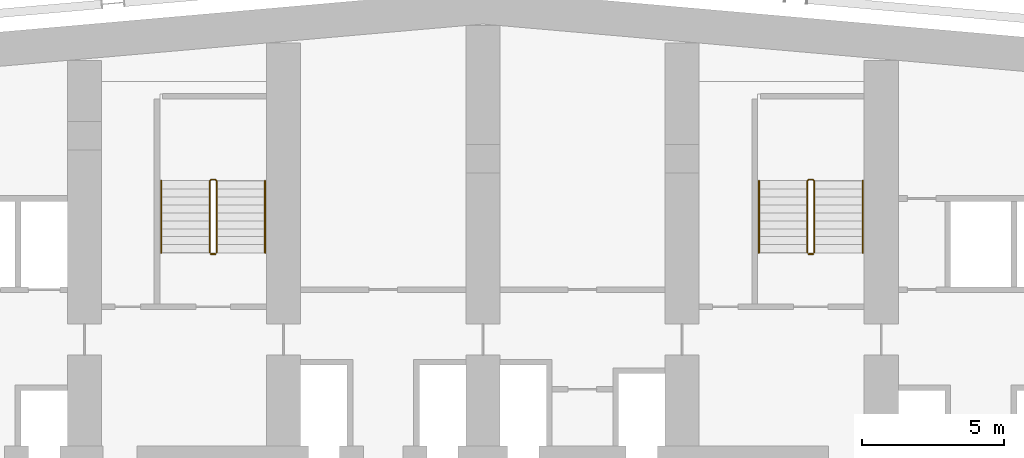
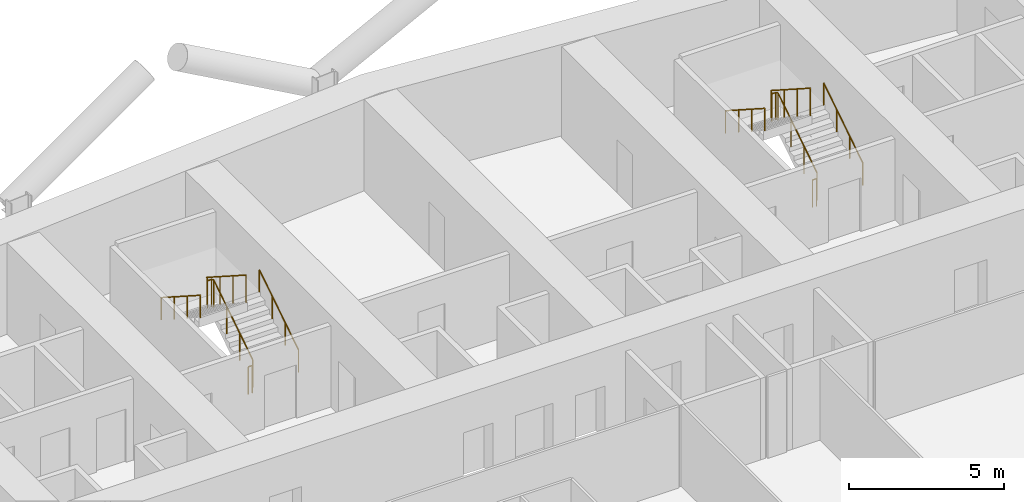
# One storey, part 26 of 27: 8 railings.
"""IFC4 building model written with IfcOpenShell, lengths in metres."""

from ifc_helpers import new_model, si_unit, direction, frame, origin, origin_2d, place, context, subcontext, project, spatial, circle, extrude, material, type_object, element, save


model = new_model("IFC4")

# Units and contexts
model_context = context("Model", 3, precision=1e-05, world=origin(), true_north=direction((0.0, 1.0)))
body_context = subcontext(model_context, "Body", "Model", "MODEL_VIEW")
ifc_project = project(units=[si_unit("LENGTHUNIT", "METRE"), si_unit("AREAUNIT", "SQUARE_METRE"), si_unit("VOLUMEUNIT", "CUBIC_METRE"), si_unit("PLANEANGLEUNIT", "RADIAN"), si_unit("MASSUNIT", "GRAM", prefix="KILO")], contexts=[model_context])

# Site, building, storey
site_placement = place(None, origin())
site = spatial("IfcSite", under=ifc_project, at=site_placement, CompositionType="ELEMENT")
building_placement = place(site_placement, origin())
building = spatial("IfcBuilding", under=site, at=building_placement, Name="Wharfspan Tower", CompositionType="ELEMENT")
storey_placement = place(building_placement, frame((0.0, 0.0, 45.100098)))
storey = spatial("IfcBuildingStorey", under=building, at=storey_placement, Name="L07", CompositionType="ELEMENT", Elevation=45.100098)

# Railings
ifc_material = material(Name="Steel S355J2", Category="steel")
railing_type_1 = type_object("IfcRailingType", Name="Stair guard 1100", PredefinedType="GUARDRAIL", material=ifc_material)
railing_1_placement = place(storey_placement, frame((27.649902, 42.0, 0.179932)))
element("IfcRailing", 1, at=railing_1_placement, inside=storey, type_object=railing_type_1, Name="L07 ST1 stair guard 1", PredefinedType="GUARDRAIL", context=body_context, shape_type="SweptSolid", body=[
    extrude(circle(Radius=0.023926, at=origin_2d()), frame((0.0, 0.0, 1.076172), z_axis=(0.0, 0.8412, 0.540725), x_axis=(-1.0, 0.0, 0.0)), (0.0, 0.0, 1.0), 2.99585),
    extrude(circle(Radius=0.023926, at=origin_2d()), frame((0.0, 2.52002, 2.695801), z_axis=(-0.705376, 0.708834, 0.0), x_axis=(-0.708834, -0.705376, 0.0)), (0.0, 0.0, 1.0), 0.070557),
    extrude(circle(Radius=0.023926, at=origin_2d()), frame((-0.049805, 2.570068, 2.695801), z_axis=(-1.0, 0.0, 0.0), x_axis=(0.0, -1.0, 0.0)), (0.0, 0.0, 1.0), 0.150146),
    extrude(circle(Radius=0.023926, at=origin_2d()), frame((-0.199951, 2.570068, 2.695801), z_axis=(-0.258544, -0.258544, 0.930758), x_axis=(0.707107, -0.707107, 0.0)), (0.0, 0.0, 1.0), 0.193604),
    extrude(circle(Radius=0.023926, at=origin_2d()), frame((-0.25, 2.52002, 2.875977), z_axis=(0.0, -0.8412, 0.540725), x_axis=(1.0, 0.0, 0.0)), (0.0, 0.0, 1.0), 2.99585),
    extrude(circle(Radius=0.020996, at=origin_2d()), origin(), (0.0, 0.0, 1.0), 1.052002),
    extrude(circle(Radius=0.020996, at=origin_2d()), frame((0.0, 0.840088, 0.540039)), (0.0, 0.0, 1.0), 1.052002),
    extrude(circle(Radius=0.020996, at=origin_2d()), frame((0.0, 1.679932, 1.079834)), (0.0, 0.0, 1.0), 1.052002),
    extrude(circle(Radius=0.020996, at=origin_2d()), frame((0.0, 2.52002, 1.619873)), (0.0, 0.0, 1.0), 1.052002),
    extrude(circle(Radius=0.020996, at=origin_2d()), frame((-0.049805, 2.570068, 1.619873)), (0.0, 0.0, 1.0), 1.052002),
    extrude(circle(Radius=0.020996, at=origin_2d()), frame((-0.199951, 2.570068, 1.619873)), (0.0, 0.0, 1.0), 1.052002),
    extrude(circle(Radius=0.020996, at=origin_2d()), frame((-0.25, 2.52002, 1.800049)), (0.0, 0.0, 1.0), 1.052002),
    extrude(circle(Radius=0.020996, at=origin_2d()), frame((-0.25, 1.679932, 2.340088)), (0.0, 0.0, 1.0), 1.052002),
    extrude(circle(Radius=0.020996, at=origin_2d()), frame((-0.25, 0.840088, 2.879883)), (0.0, 0.0, 1.0), 1.052002),
    extrude(circle(Radius=0.020996, at=origin_2d()), frame((-0.25, 0.0, 3.419922)), (0.0, 0.0, 1.0), 1.052002),
])
railing_2_placement = place(storey_placement, frame((27.600098, 41.949951, 0.0)))
element("IfcRailing", 2, at=railing_2_placement, inside=storey, type_object=railing_type_1, Name="L07 ST1 stair guard 2", PredefinedType="GUARDRAIL", context=body_context, shape_type="SweptSolid", body=[
    extrude(circle(Radius=0.023926, at=origin_2d()), frame((0.0, 0.0, 1.076172), z_axis=(-1.0, 0.0, 0.0), x_axis=(0.0, -1.0, 0.0)), (0.0, 0.0, 1.0), 0.150146),
    extrude(circle(Radius=0.020996, at=origin_2d()), origin(), (0.0, 0.0, 1.0), 1.052002),
    extrude(circle(Radius=0.020996, at=origin_2d()), frame((-0.150146, 0.0, 0.0)), (0.0, 0.0, 1.0), 1.052002),
])
railing_3_placement = place(storey_placement, frame((48.649902, 42.0, 0.179932)))
element("IfcRailing", 3, at=railing_3_placement, inside=storey, type_object=railing_type_1, Name="L07 ST2 stair guard 1", PredefinedType="GUARDRAIL", context=body_context, shape_type="SweptSolid", body=[
    extrude(circle(Radius=0.023926, at=origin_2d()), frame((0.0, 0.0, 1.076172), z_axis=(0.0, 0.8412, 0.540725), x_axis=(-1.0, 0.0, 0.0)), (0.0, 0.0, 1.0), 2.99585),
    extrude(circle(Radius=0.023926, at=origin_2d()), frame((0.0, 2.52002, 2.695801), z_axis=(-0.705376, 0.708834, 0.0), x_axis=(-0.708834, -0.705376, 0.0)), (0.0, 0.0, 1.0), 0.070557),
    extrude(circle(Radius=0.023926, at=origin_2d()), frame((-0.049805, 2.570068, 2.695801), z_axis=(-1.0, 0.0, 0.0), x_axis=(0.0, -1.0, 0.0)), (0.0, 0.0, 1.0), 0.150146),
    extrude(circle(Radius=0.023926, at=origin_2d()), frame((-0.199951, 2.570068, 2.695801), z_axis=(-0.258544, -0.258544, 0.930758), x_axis=(0.707107, -0.707107, 0.0)), (0.0, 0.0, 1.0), 0.193604),
    extrude(circle(Radius=0.023926, at=origin_2d()), frame((-0.25, 2.52002, 2.875977), z_axis=(0.0, -0.8412, 0.540725), x_axis=(1.0, 0.0, 0.0)), (0.0, 0.0, 1.0), 2.99585),
    extrude(circle(Radius=0.020996, at=origin_2d()), origin(), (0.0, 0.0, 1.0), 1.052002),
    extrude(circle(Radius=0.020996, at=origin_2d()), frame((0.0, 0.840088, 0.540039)), (0.0, 0.0, 1.0), 1.052002),
    extrude(circle(Radius=0.020996, at=origin_2d()), frame((0.0, 1.679932, 1.079834)), (0.0, 0.0, 1.0), 1.052002),
    extrude(circle(Radius=0.020996, at=origin_2d()), frame((0.0, 2.52002, 1.619873)), (0.0, 0.0, 1.0), 1.052002),
    extrude(circle(Radius=0.020996, at=origin_2d()), frame((-0.049805, 2.570068, 1.619873)), (0.0, 0.0, 1.0), 1.052002),
    extrude(circle(Radius=0.020996, at=origin_2d()), frame((-0.199951, 2.570068, 1.619873)), (0.0, 0.0, 1.0), 1.052002),
    extrude(circle(Radius=0.020996, at=origin_2d()), frame((-0.25, 2.52002, 1.800049)), (0.0, 0.0, 1.0), 1.052002),
    extrude(circle(Radius=0.020996, at=origin_2d()), frame((-0.25, 1.679932, 2.340088)), (0.0, 0.0, 1.0), 1.052002),
    extrude(circle(Radius=0.020996, at=origin_2d()), frame((-0.25, 0.840088, 2.879883)), (0.0, 0.0, 1.0), 1.052002),
    extrude(circle(Radius=0.020996, at=origin_2d()), frame((-0.25, 0.0, 3.419922)), (0.0, 0.0, 1.0), 1.052002),
])
railing_4_placement = place(storey_placement, frame((48.600098, 41.949951, 0.0)))
element("IfcRailing", 4, at=railing_4_placement, inside=storey, type_object=railing_type_1, Name="L07 ST2 stair guard 2", PredefinedType="GUARDRAIL", context=body_context, shape_type="SweptSolid", body=[
    extrude(circle(Radius=0.023926, at=origin_2d()), frame((0.0, 0.0, 1.076172), z_axis=(-1.0, 0.0, 0.0), x_axis=(0.0, -1.0, 0.0)), (0.0, 0.0, 1.0), 0.150146),
    extrude(circle(Radius=0.020996, at=origin_2d()), origin(), (0.0, 0.0, 1.0), 1.052002),
    extrude(circle(Radius=0.020996, at=origin_2d()), frame((-0.150146, 0.0, 0.0)), (0.0, 0.0, 1.0), 1.052002),
])
railing_type_2 = type_object("IfcRailingType", Name="Stair handrail 900", PredefinedType="HANDRAIL", material=ifc_material)
railing_5_placement = place(storey_placement, frame((29.350098, 42.0, 0.179932)))
element("IfcRailing", 5, at=railing_5_placement, inside=storey, type_object=railing_type_2, Name="L07 ST1 stair handrail 1", PredefinedType="HANDRAIL", context=body_context, shape_type="SweptSolid", body=[
    extrude(circle(Radius=0.023926, at=origin_2d()), frame((0.0, 0.0, 0.875977), z_axis=(0.0, 0.8412, 0.540725), x_axis=(-1.0, 0.0, 0.0)), (0.0, 0.0, 1.0), 2.99585),
    extrude(circle(Radius=0.020996, at=origin_2d()), origin(), (0.0, 0.0, 1.0), 0.851807),
    extrude(circle(Radius=0.020996, at=origin_2d()), frame((0.0, 0.840088, 0.540039)), (0.0, 0.0, 1.0), 0.851807),
    extrude(circle(Radius=0.020996, at=origin_2d()), frame((0.0, 1.679932, 1.079834)), (0.0, 0.0, 1.0), 0.851807),
    extrude(circle(Radius=0.020996, at=origin_2d()), frame((0.0, 2.52002, 1.619873)), (0.0, 0.0, 1.0), 0.851807),
])
railing_6_placement = place(storey_placement, frame((25.699951, 44.52002, 1.97998)))
element("IfcRailing", 6, at=railing_6_placement, inside=storey, type_object=railing_type_2, Name="L07 ST1 stair handrail 2", PredefinedType="HANDRAIL", context=body_context, shape_type="SweptSolid", body=[
    extrude(circle(Radius=0.023926, at=origin_2d()), frame((0.0, 0.0, 0.875977), z_axis=(0.0, -0.8412, 0.540725), x_axis=(1.0, 0.0, 0.0)), (0.0, 0.0, 1.0), 2.99585),
    extrude(circle(Radius=0.020996, at=origin_2d()), origin(), (0.0, 0.0, 1.0), 0.851807),
    extrude(circle(Radius=0.020996, at=origin_2d()), frame((0.0, -0.840088, 0.540039)), (0.0, 0.0, 1.0), 0.851807),
    extrude(circle(Radius=0.020996, at=origin_2d()), frame((0.0, -1.679932, 1.079834)), (0.0, 0.0, 1.0), 0.851807),
    extrude(circle(Radius=0.020996, at=origin_2d()), frame((0.0, -2.52002, 1.619873)), (0.0, 0.0, 1.0), 0.851807),
])
railing_7_placement = place(storey_placement, frame((50.350098, 42.0, 0.179932)))
element("IfcRailing", 7, at=railing_7_placement, inside=storey, type_object=railing_type_2, Name="L07 ST2 stair handrail 1", PredefinedType="HANDRAIL", context=body_context, shape_type="SweptSolid", body=[
    extrude(circle(Radius=0.023926, at=origin_2d()), frame((0.0, 0.0, 0.875977), z_axis=(0.0, 0.8412, 0.540725), x_axis=(-1.0, 0.0, 0.0)), (0.0, 0.0, 1.0), 2.99585),
    extrude(circle(Radius=0.020996, at=origin_2d()), origin(), (0.0, 0.0, 1.0), 0.851807),
    extrude(circle(Radius=0.020996, at=origin_2d()), frame((0.0, 0.840088, 0.540039)), (0.0, 0.0, 1.0), 0.851807),
    extrude(circle(Radius=0.020996, at=origin_2d()), frame((0.0, 1.679932, 1.079834)), (0.0, 0.0, 1.0), 0.851807),
    extrude(circle(Radius=0.020996, at=origin_2d()), frame((0.0, 2.52002, 1.619873)), (0.0, 0.0, 1.0), 0.851807),
])
railing_8_placement = place(storey_placement, frame((46.699951, 44.52002, 1.97998)))
element("IfcRailing", 8, at=railing_8_placement, inside=storey, type_object=railing_type_2, Name="L07 ST2 stair handrail 2", PredefinedType="HANDRAIL", context=body_context, shape_type="SweptSolid", body=[
    extrude(circle(Radius=0.023926, at=origin_2d()), frame((0.0, 0.0, 0.875977), z_axis=(0.0, -0.8412, 0.540725), x_axis=(1.0, 0.0, 0.0)), (0.0, 0.0, 1.0), 2.99585),
    extrude(circle(Radius=0.020996, at=origin_2d()), origin(), (0.0, 0.0, 1.0), 0.851807),
    extrude(circle(Radius=0.020996, at=origin_2d()), frame((0.0, -0.840088, 0.540039)), (0.0, 0.0, 1.0), 0.851807),
    extrude(circle(Radius=0.020996, at=origin_2d()), frame((0.0, -1.679932, 1.079834)), (0.0, 0.0, 1.0), 0.851807),
    extrude(circle(Radius=0.020996, at=origin_2d()), frame((0.0, -2.52002, 1.619873)), (0.0, 0.0, 1.0), 0.851807),
])

save(model, "model.ifc")
